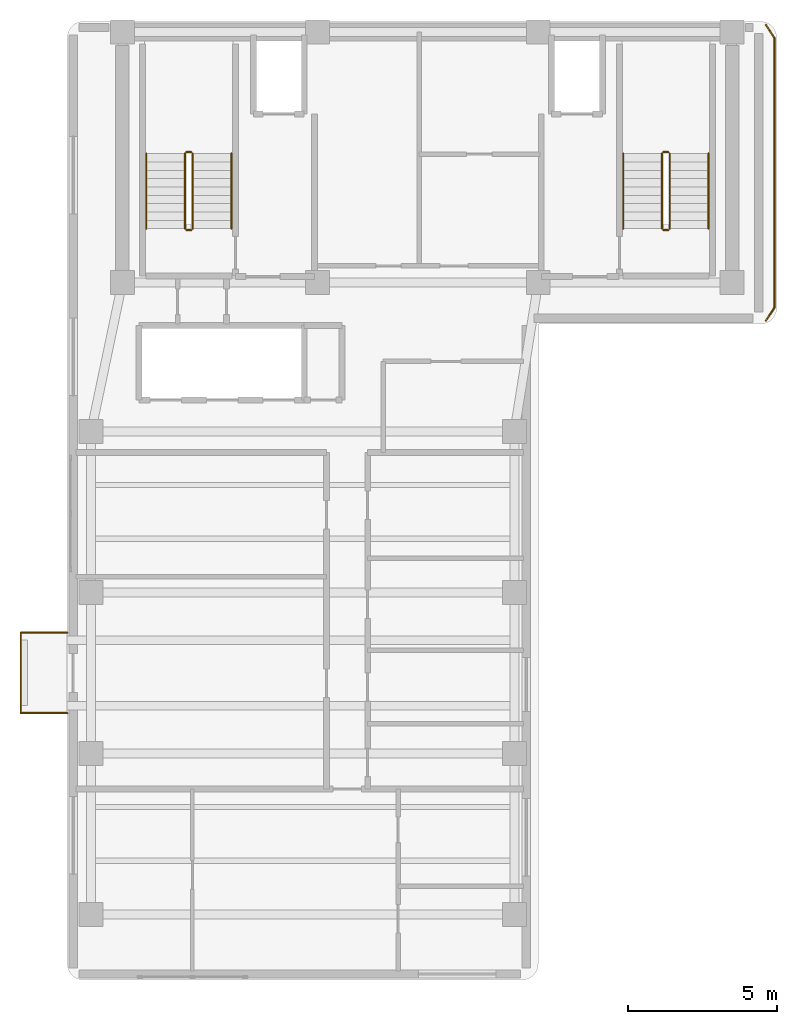
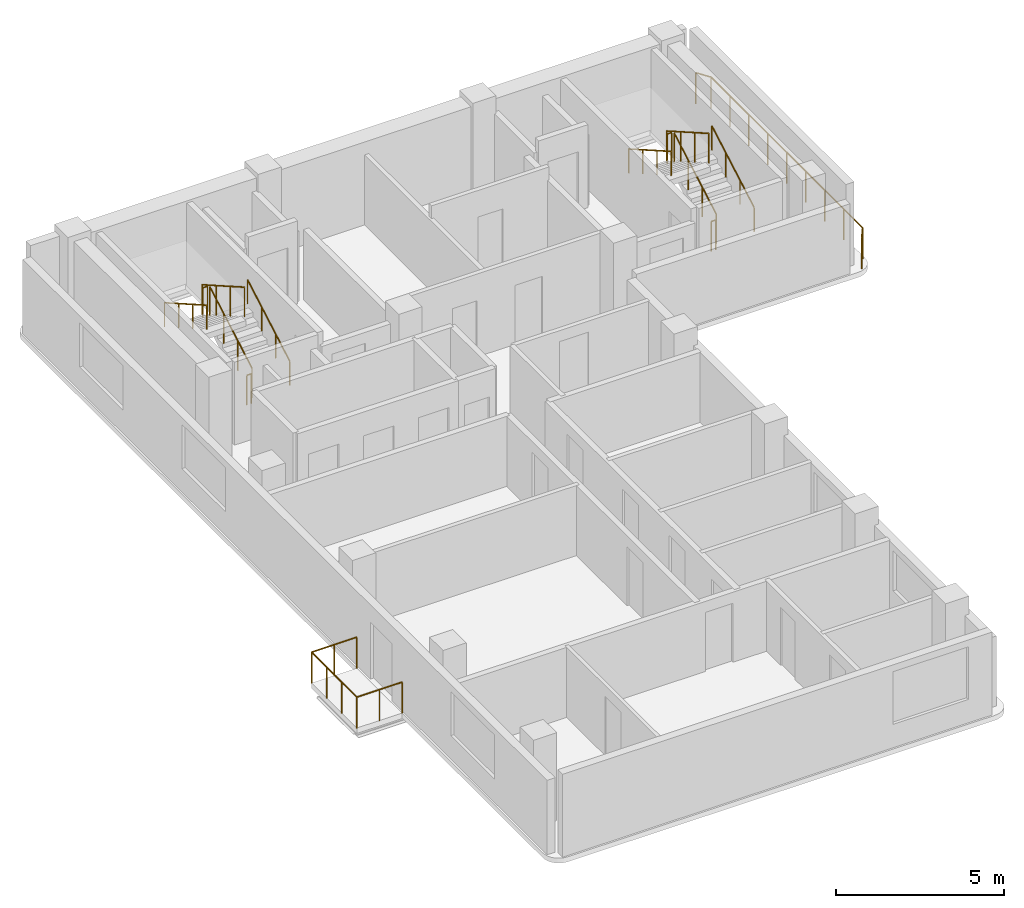
# One storey, part 9 of 9: 18 railings.
"""IFC4 building model written with IfcOpenShell, lengths in metres."""

from ifc_helpers import new_model, si_unit, direction, frame, origin, origin_2d, place, context, subcontext, project, spatial, circle, extrude, material, layer, layer_set, type_object, element, save


model = new_model("IFC4")

# Units and contexts
model_context = context("Model", 3, precision=1e-05, world=origin(), true_north=direction((0.0, 1.0)))
body_context = subcontext(model_context, "Body", "Model", "MODEL_VIEW")
ifc_project = project(units=[si_unit("LENGTHUNIT", "METRE"), si_unit("AREAUNIT", "SQUARE_METRE"), si_unit("VOLUMEUNIT", "CUBIC_METRE"), si_unit("PLANEANGLEUNIT", "RADIAN"), si_unit("MASSUNIT", "GRAM", prefix="KILO")], contexts=[model_context])

# Site, building, storey
site_placement = place(None, origin())
site = spatial("IfcSite", under=ifc_project, at=site_placement, CompositionType="ELEMENT")
building_placement = place(site_placement, origin())
building = spatial("IfcBuilding", under=site, at=building_placement, Name="Kuzgunbayir Cultural Tower", CompositionType="ELEMENT")
storey_placement = place(building_placement, frame((0.0, 0.0, 240.800048828125)))
storey = spatial("IfcBuildingStorey", under=building, at=storey_placement, Name="L71", CompositionType="ELEMENT", Elevation=240.800048828125)

# Railings
ifc_material_1 = material(Name="Laminated Glass and Stainless Steel", Category="steel")
ifc_layer_1 = layer(ifc_material_1, 0.080078125)
ifc_layer_set_1 = layer_set([ifc_layer_1], Name="Laminated Glass and Stainless Steel")
railing_type_1 = type_object("IfcRailingType", Name="RLG-BAL-115", PredefinedType="BALUSTRADE", material=ifc_layer_set_1)
railing_1_placement = place(storey_placement, frame((4.60009765625, 19.35009765625, 0.0)))
element("IfcRailing", 1, at=railing_1_placement, inside=storey, type_object=railing_type_1, Name="L71 Balcony Guard BAL-L71-WA2 Segment 1", PredefinedType="BALUSTRADE", context=body_context, shape_type="SweptSolid", body=[
    extrude(circle(Radius=0.02392578125, at=origin_2d()), frame((0.0, 0.0, 1.1259765625), z_axis=(-1.0, 0.0, 0.0), x_axis=(0.0, -1.0, 0.0)), (0.0, 0.0, 1.0), 1.56005859375),
    extrude(circle(Radius=0.02099609375, at=origin_2d()), origin(), (0.0, 0.0, 1.0), 1.101806640625),
    extrude(circle(Radius=0.02099609375, at=origin_2d()), frame((-0.780029296875, 0.0, 0.0)), (0.0, 0.0, 1.0), 1.101806640625),
    extrude(circle(Radius=0.02099609375, at=origin_2d()), frame((-1.56005859375, 0.0, 0.0)), (0.0, 0.0, 1.0), 1.101806640625),
])
railing_2_placement = place(storey_placement, frame((3.0400390625, 19.35009765625, 0.0)))
element("IfcRailing", 2, at=railing_2_placement, inside=storey, type_object=railing_type_1, Name="L71 Balcony Guard BAL-L71-WA2 Segment 2", PredefinedType="BALUSTRADE", context=body_context, shape_type="SweptSolid", body=[
    extrude(circle(Radius=0.02392578125, at=origin_2d()), frame((0.0, 0.0, 1.1259765625), z_axis=(0.0, 1.0, 0.0), x_axis=(-1.0, 0.0, 0.0)), (0.0, 0.0, 1.0), 2.699951171875),
    extrude(circle(Radius=0.02099609375, at=origin_2d()), origin(), (0.0, 0.0, 1.0), 1.101806640625),
    extrude(circle(Radius=0.02099609375, at=origin_2d()), frame((0.0, 0.89990234375, 0.0)), (0.0, 0.0, 1.0), 1.101806640625),
    extrude(circle(Radius=0.02099609375, at=origin_2d()), frame((0.0, 1.800048828125, 0.0)), (0.0, 0.0, 1.0), 1.101806640625),
    extrude(circle(Radius=0.02099609375, at=origin_2d()), frame((0.0, 2.699951171875, 0.0)), (0.0, 0.0, 1.0), 1.101806640625),
])
railing_3_placement = place(storey_placement, frame((3.0400390625, 22.050048828125, 0.0)))
element("IfcRailing", 3, at=railing_3_placement, inside=storey, type_object=railing_type_1, Name="L71 Balcony Guard BAL-L71-WA2 Segment 3", PredefinedType="BALUSTRADE", context=body_context, shape_type="SweptSolid", body=[
    extrude(circle(Radius=0.02392578125, at=origin_2d()), frame((0.0, 0.0, 1.1259765625), z_axis=(1.0, 0.0, 0.0), x_axis=(0.0, 1.0, 0.0)), (0.0, 0.0, 1.0), 1.56005859375),
    extrude(circle(Radius=0.02099609375, at=origin_2d()), origin(), (0.0, 0.0, 1.0), 1.101806640625),
    extrude(circle(Radius=0.02099609375, at=origin_2d()), frame((0.780029296875, 0.0, 0.0)), (0.0, 0.0, 1.0), 1.101806640625),
    extrude(circle(Radius=0.02099609375, at=origin_2d()), frame((1.56005859375, 0.0, 0.0)), (0.0, 0.0, 1.0), 1.101806640625),
])
railing_4_placement = place(storey_placement, frame((28.0400390625, 42.429931640625, 0.0)))
element("IfcRailing", 4, at=railing_4_placement, inside=storey, type_object=railing_type_1, Name="L71 Perimeter Edge Guard 1", PredefinedType="BALUSTRADE", context=body_context, shape_type="SweptSolid", body=[
    extrude(circle(Radius=0.02392578125, at=origin_2d()), frame((0.0, 0.0, 1.1259765625), z_axis=(0.545774188207, -0.837932297675, 0.0), x_axis=(0.837932297675, 0.545774188207, 0.0)), (0.0, 0.0, 1.0), 0.51318359375),
    extrude(circle(Radius=0.02099609375, at=origin_2d()), origin(), (0.0, 0.0, 1.0), 1.101806640625),
    extrude(circle(Radius=0.02099609375, at=origin_2d()), frame((0.280029296875, -0.429931640625, 0.0)), (0.0, 0.0, 1.0), 1.101806640625),
])
railing_5_placement = place(storey_placement, frame((28.320068359375, 42.0, 0.0)))
element("IfcRailing", 5, at=railing_5_placement, inside=storey, type_object=railing_type_1, Name="L71 Perimeter Edge Guard 2", PredefinedType="BALUSTRADE", context=body_context, shape_type="SweptSolid", body=[
    extrude(circle(Radius=0.02392578125, at=origin_2d()), frame((0.0, 0.0, 1.1259765625), z_axis=(0.0, -1.0, 0.0), x_axis=(1.0, 0.0, 0.0)), (0.0, 0.0, 1.0), 9.050048828125),
    extrude(circle(Radius=0.02099609375, at=origin_2d()), origin(), (0.0, 0.0, 1.0), 1.101806640625),
    extrude(circle(Radius=0.02099609375, at=origin_2d()), frame((0.0, -1.13134765625, 0.0)), (0.0, 0.0, 1.0), 1.101806640625),
    extrude(circle(Radius=0.02099609375, at=origin_2d()), frame((0.0, -2.262451171875, 0.0)), (0.0, 0.0, 1.0), 1.101806640625),
    extrude(circle(Radius=0.02099609375, at=origin_2d()), frame((0.0, -3.393798828125, 0.0)), (0.0, 0.0, 1.0), 1.101806640625),
    extrude(circle(Radius=0.02099609375, at=origin_2d()), frame((0.0, -4.52490234375, 0.0)), (0.0, 0.0, 1.0), 1.101806640625),
    extrude(circle(Radius=0.02099609375, at=origin_2d()), frame((0.0, -5.65625, 0.0)), (0.0, 0.0, 1.0), 1.101806640625),
    extrude(circle(Radius=0.02099609375, at=origin_2d()), frame((0.0, -6.78759765625, 0.0)), (0.0, 0.0, 1.0), 1.101806640625),
    extrude(circle(Radius=0.02099609375, at=origin_2d()), frame((0.0, -7.918701171875, 0.0)), (0.0, 0.0, 1.0), 1.101806640625),
    extrude(circle(Radius=0.02099609375, at=origin_2d()), frame((0.0, -9.050048828125, 0.0)), (0.0, 0.0, 1.0), 1.101806640625),
])
railing_6_placement = place(storey_placement, frame((28.320068359375, 32.949951171875, 0.0)))
element("IfcRailing", 6, at=railing_6_placement, inside=storey, type_object=railing_type_1, Name="L71 Perimeter Edge Guard 3", PredefinedType="BALUSTRADE", context=body_context, shape_type="SweptSolid", body=[
    extrude(circle(Radius=0.02392578125, at=origin_2d()), frame((0.0, 0.0, 1.1259765625), z_axis=(-0.545774188207, -0.837932297675, 0.0), x_axis=(0.837932297675, -0.545774188207, 0.0)), (0.0, 0.0, 1.0), 0.51318359375),
    extrude(circle(Radius=0.02099609375, at=origin_2d()), origin(), (0.0, 0.0, 1.0), 1.101806640625),
    extrude(circle(Radius=0.02099609375, at=origin_2d()), frame((-0.280029296875, -0.429931640625, 0.0)), (0.0, 0.0, 1.0), 1.101806640625),
])
ifc_material_2 = material(Name="Brushed Stainless Steel", Category="steel")
ifc_layer_2 = layer(ifc_material_2, 0.050048828125)
ifc_layer_set_2 = layer_set([ifc_layer_2], Name="Brushed Stainless Steel")
railing_type_2 = type_object("IfcRailingType", Name="RLG-STAIR-HANDRAIL", PredefinedType="HANDRAIL", material=ifc_layer_set_2)
railing_7_placement = place(storey_placement, frame((10.110107421875, 35.60009765625, 0.159912109375)))
element("IfcRailing", 7, at=railing_7_placement, inside=storey, type_object=railing_type_2, Name="L71 ST-1 stair handrail 1", PredefinedType="HANDRAIL", context=body_context, shape_type="SweptSolid", body=[
    extrude(circle(Radius=0.02392578125, at=origin_2d()), frame((0.0, 0.0, 0.8759765625), z_axis=(0.0, 0.868253494771, 0.496120820787), x_axis=(-1.0, 0.0, 0.0)), (0.0, 0.0, 1.0), 2.90234375),
    extrude(circle(Radius=0.02099609375, at=origin_2d()), origin(), (0.0, 0.0, 1.0), 0.851806640625),
    extrude(circle(Radius=0.02099609375, at=origin_2d()), frame((0.0, 0.840087890625, 0.47998046875)), (0.0, 0.0, 1.0), 0.851806640625),
    extrude(circle(Radius=0.02099609375, at=origin_2d()), frame((0.0, 1.679931640625, 0.9599609375)), (0.0, 0.0, 1.0), 0.851806640625),
    extrude(circle(Radius=0.02099609375, at=origin_2d()), frame((0.0, 2.52001953125, 1.43994140625)), (0.0, 0.0, 1.0), 0.851806640625),
])
railing_8_placement = place(storey_placement, frame((7.25, 38.1201171875, 1.760009765625)))
element("IfcRailing", 8, at=railing_8_placement, inside=storey, type_object=railing_type_2, Name="L71 ST-1 stair handrail 2", PredefinedType="HANDRAIL", context=body_context, shape_type="SweptSolid", body=[
    extrude(circle(Radius=0.02392578125, at=origin_2d()), frame((0.0, 0.0, 0.8759765625), z_axis=(0.0, -0.868253494771, 0.496120820787), x_axis=(1.0, 0.0, 0.0)), (0.0, 0.0, 1.0), 2.90234375),
    extrude(circle(Radius=0.02099609375, at=origin_2d()), origin(), (0.0, 0.0, 1.0), 0.851806640625),
    extrude(circle(Radius=0.02099609375, at=origin_2d()), frame((0.0, -0.840087890625, 0.47998046875)), (0.0, 0.0, 1.0), 0.851806640625),
    extrude(circle(Radius=0.02099609375, at=origin_2d()), frame((0.0, -1.679931640625, 0.9599609375)), (0.0, 0.0, 1.0), 0.851806640625),
    extrude(circle(Radius=0.02099609375, at=origin_2d()), frame((0.0, -2.52001953125, 1.43994140625)), (0.0, 0.0, 1.0), 0.851806640625),
])
railing_9_placement = place(storey_placement, frame((26.110107421875, 35.60009765625, 0.159912109375)))
element("IfcRailing", 9, at=railing_9_placement, inside=storey, type_object=railing_type_2, Name="L71 ST-2 stair handrail 1", PredefinedType="HANDRAIL", context=body_context, shape_type="SweptSolid", body=[
    extrude(circle(Radius=0.02392578125, at=origin_2d()), frame((0.0, 0.0, 0.8759765625), z_axis=(0.0, 0.868253494771, 0.496120820787), x_axis=(-1.0, 0.0, 0.0)), (0.0, 0.0, 1.0), 2.90234375),
    extrude(circle(Radius=0.02099609375, at=origin_2d()), origin(), (0.0, 0.0, 1.0), 0.851806640625),
    extrude(circle(Radius=0.02099609375, at=origin_2d()), frame((0.0, 0.840087890625, 0.47998046875)), (0.0, 0.0, 1.0), 0.851806640625),
    extrude(circle(Radius=0.02099609375, at=origin_2d()), frame((0.0, 1.679931640625, 0.9599609375)), (0.0, 0.0, 1.0), 0.851806640625),
    extrude(circle(Radius=0.02099609375, at=origin_2d()), frame((0.0, 2.52001953125, 1.43994140625)), (0.0, 0.0, 1.0), 0.851806640625),
])
railing_10_placement = place(storey_placement, frame((23.25, 38.1201171875, 1.760009765625)))
element("IfcRailing", 10, at=railing_10_placement, inside=storey, type_object=railing_type_2, Name="L71 ST-2 stair handrail 2", PredefinedType="HANDRAIL", context=body_context, shape_type="SweptSolid", body=[
    extrude(circle(Radius=0.02392578125, at=origin_2d()), frame((0.0, 0.0, 0.8759765625), z_axis=(0.0, -0.868253494771, 0.496120820787), x_axis=(1.0, 0.0, 0.0)), (0.0, 0.0, 1.0), 2.90234375),
    extrude(circle(Radius=0.02099609375, at=origin_2d()), origin(), (0.0, 0.0, 1.0), 0.851806640625),
    extrude(circle(Radius=0.02099609375, at=origin_2d()), frame((0.0, -0.840087890625, 0.47998046875)), (0.0, 0.0, 1.0), 0.851806640625),
    extrude(circle(Radius=0.02099609375, at=origin_2d()), frame((0.0, -1.679931640625, 0.9599609375)), (0.0, 0.0, 1.0), 0.851806640625),
    extrude(circle(Radius=0.02099609375, at=origin_2d()), frame((0.0, -2.52001953125, 1.43994140625)), (0.0, 0.0, 1.0), 0.851806640625),
])
ifc_material_3 = material(Name="Painted Steel Balustrade", Category="steel")
ifc_layer_3 = layer(ifc_material_3, 0.06005859375)
ifc_layer_set_3 = layer_set([ifc_layer_3], Name="Painted Steel Balustrade")
railing_type_3 = type_object("IfcRailingType", Name="RLG-WELL-GUARD", PredefinedType="GUARDRAIL", material=ifc_layer_set_3)
railing_11_placement = place(storey_placement, frame((8.81005859375, 35.60009765625, 0.159912109375)))
element("IfcRailing", 11, at=railing_11_placement, inside=storey, type_object=railing_type_3, Name="L71 ST-1 stair guard 1", PredefinedType="GUARDRAIL", context=body_context, shape_type="SweptSolid", body=[
    extrude(circle(Radius=0.02392578125, at=origin_2d()), frame((0.0, 0.0, 1.076171875), z_axis=(0.0, 0.868253494771, 0.496120820787), x_axis=(-1.0, 0.0, 0.0)), (0.0, 0.0, 1.0), 2.90234375),
    extrude(circle(Radius=0.02099609375, at=origin_2d()), origin(), (0.0, 0.0, 1.0), 1.052001953125),
    extrude(circle(Radius=0.02099609375, at=origin_2d()), frame((0.0, 0.840087890625, 0.47998046875)), (0.0, 0.0, 1.0), 1.052001953125),
    extrude(circle(Radius=0.02099609375, at=origin_2d()), frame((0.0, 1.679931640625, 0.9599609375)), (0.0, 0.0, 1.0), 1.052001953125),
    extrude(circle(Radius=0.02099609375, at=origin_2d()), frame((0.0, 2.52001953125, 1.43994140625)), (0.0, 0.0, 1.0), 1.052001953125),
])
railing_12_placement = place(storey_placement, frame((8.760009765625, 38.169921875, 1.599853515625)))
element("IfcRailing", 12, at=railing_12_placement, inside=storey, type_object=railing_type_3, Name="L71 ST-1 stair guard 2", PredefinedType="GUARDRAIL", context=body_context, shape_type="SweptSolid", body=[
    extrude(circle(Radius=0.02392578125, at=origin_2d()), frame((0.0, 0.0, 1.076171875), z_axis=(-1.0, 0.0, 0.0), x_axis=(0.0, -1.0, 0.0)), (0.0, 0.0, 1.0), 0.159912109375),
    extrude(circle(Radius=0.02099609375, at=origin_2d()), origin(), (0.0, 0.0, 1.0), 1.052001953125),
    extrude(circle(Radius=0.02099609375, at=origin_2d()), frame((-0.159912109375, 0.0, 0.0)), (0.0, 0.0, 1.0), 1.052001953125),
])
railing_13_placement = place(storey_placement, frame((8.550048828125, 38.1201171875, 1.760009765625)))
element("IfcRailing", 13, at=railing_13_placement, inside=storey, type_object=railing_type_3, Name="L71 ST-1 stair guard 3", PredefinedType="GUARDRAIL", context=body_context, shape_type="SweptSolid", body=[
    extrude(circle(Radius=0.02392578125, at=origin_2d()), frame((0.0, 0.0, 1.076171875), z_axis=(0.0, -0.868253494771, 0.496120820787), x_axis=(1.0, 0.0, 0.0)), (0.0, 0.0, 1.0), 2.90234375),
    extrude(circle(Radius=0.02099609375, at=origin_2d()), origin(), (0.0, 0.0, 1.0), 1.052001953125),
    extrude(circle(Radius=0.02099609375, at=origin_2d()), frame((0.0, -0.840087890625, 0.47998046875)), (0.0, 0.0, 1.0), 1.052001953125),
    extrude(circle(Radius=0.02099609375, at=origin_2d()), frame((0.0, -1.679931640625, 0.9599609375)), (0.0, 0.0, 1.0), 1.052001953125),
    extrude(circle(Radius=0.02099609375, at=origin_2d()), frame((0.0, -2.52001953125, 1.43994140625)), (0.0, 0.0, 1.0), 1.052001953125),
])
railing_14_placement = place(storey_placement, frame((8.760009765625, 35.550048828125, 0.0)))
element("IfcRailing", 14, at=railing_14_placement, inside=storey, type_object=railing_type_3, Name="L71 ST-1 stair guard 4", PredefinedType="GUARDRAIL", context=body_context, shape_type="SweptSolid", body=[
    extrude(circle(Radius=0.02392578125, at=origin_2d()), frame((0.0, 0.0, 1.076171875), z_axis=(-1.0, 0.0, 0.0), x_axis=(0.0, -1.0, 0.0)), (0.0, 0.0, 1.0), 0.159912109375),
    extrude(circle(Radius=0.02099609375, at=origin_2d()), origin(), (0.0, 0.0, 1.0), 1.052001953125),
    extrude(circle(Radius=0.02099609375, at=origin_2d()), frame((-0.159912109375, 0.0, 0.0)), (0.0, 0.0, 1.0), 1.052001953125),
])
railing_15_placement = place(storey_placement, frame((24.81005859375, 35.60009765625, 0.159912109375)))
element("IfcRailing", 15, at=railing_15_placement, inside=storey, type_object=railing_type_3, Name="L71 ST-2 stair guard 1", PredefinedType="GUARDRAIL", context=body_context, shape_type="SweptSolid", body=[
    extrude(circle(Radius=0.02392578125, at=origin_2d()), frame((0.0, 0.0, 1.076171875), z_axis=(0.0, 0.868253494771, 0.496120820787), x_axis=(-1.0, 0.0, 0.0)), (0.0, 0.0, 1.0), 2.90234375),
    extrude(circle(Radius=0.02099609375, at=origin_2d()), origin(), (0.0, 0.0, 1.0), 1.052001953125),
    extrude(circle(Radius=0.02099609375, at=origin_2d()), frame((0.0, 0.840087890625, 0.47998046875)), (0.0, 0.0, 1.0), 1.052001953125),
    extrude(circle(Radius=0.02099609375, at=origin_2d()), frame((0.0, 1.679931640625, 0.9599609375)), (0.0, 0.0, 1.0), 1.052001953125),
    extrude(circle(Radius=0.02099609375, at=origin_2d()), frame((0.0, 2.52001953125, 1.43994140625)), (0.0, 0.0, 1.0), 1.052001953125),
])
railing_16_placement = place(storey_placement, frame((24.760009765625, 38.169921875, 1.599853515625)))
element("IfcRailing", 16, at=railing_16_placement, inside=storey, type_object=railing_type_3, Name="L71 ST-2 stair guard 2", PredefinedType="GUARDRAIL", context=body_context, shape_type="SweptSolid", body=[
    extrude(circle(Radius=0.02392578125, at=origin_2d()), frame((0.0, 0.0, 1.076171875), z_axis=(-1.0, 0.0, 0.0), x_axis=(0.0, -1.0, 0.0)), (0.0, 0.0, 1.0), 0.159912109375),
    extrude(circle(Radius=0.02099609375, at=origin_2d()), origin(), (0.0, 0.0, 1.0), 1.052001953125),
    extrude(circle(Radius=0.02099609375, at=origin_2d()), frame((-0.159912109375, 0.0, 0.0)), (0.0, 0.0, 1.0), 1.052001953125),
])
railing_17_placement = place(storey_placement, frame((24.550048828125, 38.1201171875, 1.760009765625)))
element("IfcRailing", 17, at=railing_17_placement, inside=storey, type_object=railing_type_3, Name="L71 ST-2 stair guard 3", PredefinedType="GUARDRAIL", context=body_context, shape_type="SweptSolid", body=[
    extrude(circle(Radius=0.02392578125, at=origin_2d()), frame((0.0, 0.0, 1.076171875), z_axis=(0.0, -0.868253494771, 0.496120820787), x_axis=(1.0, 0.0, 0.0)), (0.0, 0.0, 1.0), 2.90234375),
    extrude(circle(Radius=0.02099609375, at=origin_2d()), origin(), (0.0, 0.0, 1.0), 1.052001953125),
    extrude(circle(Radius=0.02099609375, at=origin_2d()), frame((0.0, -0.840087890625, 0.47998046875)), (0.0, 0.0, 1.0), 1.052001953125),
    extrude(circle(Radius=0.02099609375, at=origin_2d()), frame((0.0, -1.679931640625, 0.9599609375)), (0.0, 0.0, 1.0), 1.052001953125),
    extrude(circle(Radius=0.02099609375, at=origin_2d()), frame((0.0, -2.52001953125, 1.43994140625)), (0.0, 0.0, 1.0), 1.052001953125),
])
railing_18_placement = place(storey_placement, frame((24.760009765625, 35.550048828125, 0.0)))
element("IfcRailing", 18, at=railing_18_placement, inside=storey, type_object=railing_type_3, Name="L71 ST-2 stair guard 4", PredefinedType="GUARDRAIL", context=body_context, shape_type="SweptSolid", body=[
    extrude(circle(Radius=0.02392578125, at=origin_2d()), frame((0.0, 0.0, 1.076171875), z_axis=(-1.0, 0.0, 0.0), x_axis=(0.0, -1.0, 0.0)), (0.0, 0.0, 1.0), 0.159912109375),
    extrude(circle(Radius=0.02099609375, at=origin_2d()), origin(), (0.0, 0.0, 1.0), 1.052001953125),
    extrude(circle(Radius=0.02099609375, at=origin_2d()), frame((-0.159912109375, 0.0, 0.0)), (0.0, 0.0, 1.0), 1.052001953125),
])

save(model, "model.ifc")
